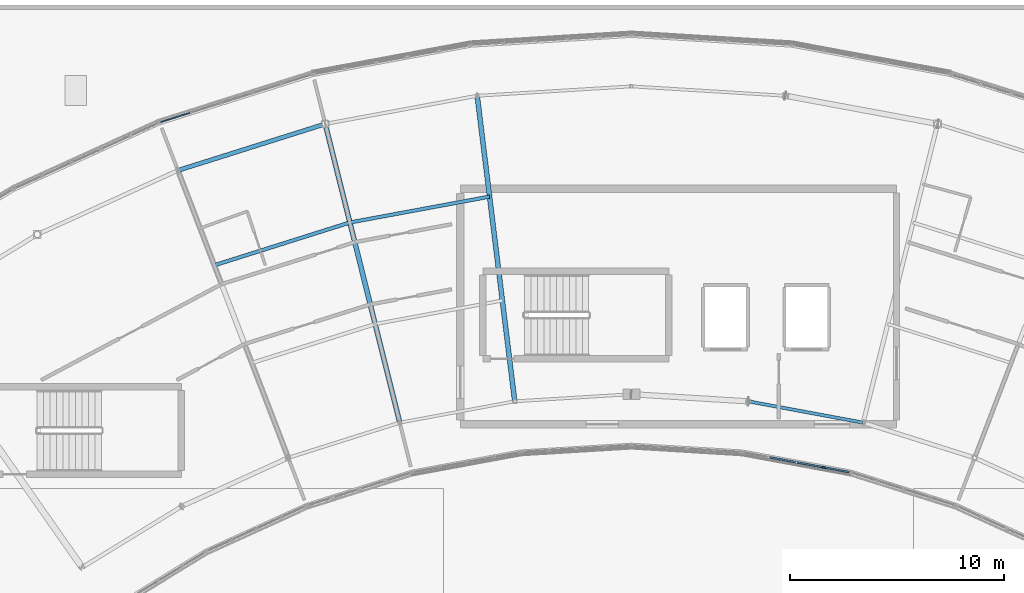
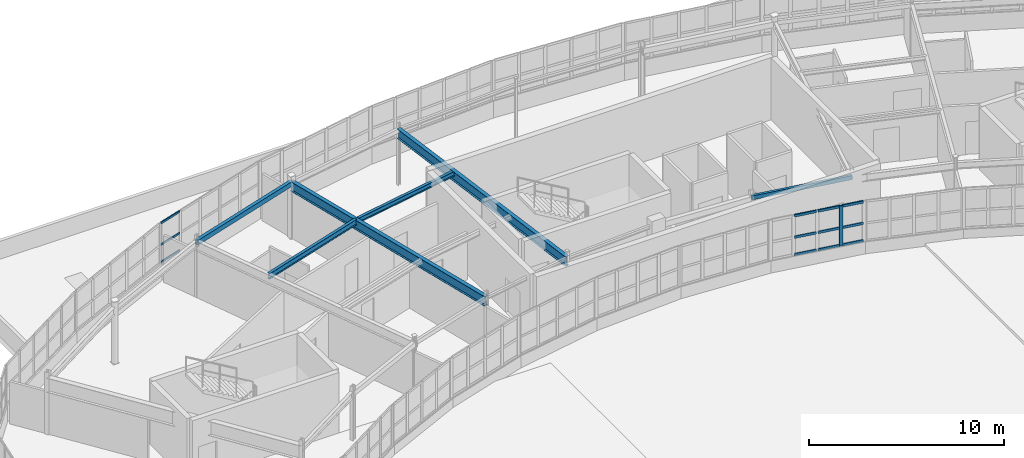
# One storey, part 45 of 128: 13 members, 6 beams, 2 elements without a shape of their own.
"""IFC4 building model written with IfcOpenShell, lengths in metres."""

from ifc_helpers import new_model, si_unit, direction, frame, origin, origin_2d, place, context, subcontext, project, spatial, rectangle, hollow_rectangle, i_section, extrude, material, layer, layer_set, material_profile, profile_set, type_object, element, aggregate, save


model = new_model("IFC4")

# Units and contexts
model_context = context("Model", 3, precision=1e-05, world=origin(), true_north=direction((0.0, 1.0)))
body_context = subcontext(model_context, "Body", "Model", "MODEL_VIEW")
ifc_project = project(units=[si_unit("LENGTHUNIT", "METRE"), si_unit("AREAUNIT", "SQUARE_METRE"), si_unit("VOLUMEUNIT", "CUBIC_METRE"), si_unit("PLANEANGLEUNIT", "RADIAN"), si_unit("MASSUNIT", "GRAM", prefix="KILO")], contexts=[model_context])

# Site, building, storey
site_placement = place(None, origin())
site = spatial("IfcSite", under=ifc_project, at=site_placement, CompositionType="ELEMENT")
building_placement = place(site_placement, origin())
building = spatial("IfcBuilding", under=site, at=building_placement, Name="Tarnwether General Hospital", CompositionType="ELEMENT")
storey_placement = place(building_placement, frame((0.0, 0.0, 14.39990234375)))
storey = spatial("IfcBuildingStorey", under=building, at=storey_placement, Name="L03", CompositionType="ELEMENT", Elevation=14.39990234375)

# Beams
ifc_material_1 = material(Name="Steel Grade 350 (350 MPa)", Category="steel")
ifc_material_profile_1 = material_profile(ifc_material_1, i_section(OverallWidth=0.22802734375, OverallDepth=0.60693359375, WebThickness=0.01123046875, FlangeThickness=0.017333984375, at=origin_2d()), Name="610UB113")
ifc_profile_set_1 = profile_set([ifc_material_profile_1], Name="Steel Grade 350 (350 MPa)")
beam_type_1 = type_object("IfcBeamType", Name="BM-G04", PredefinedType="BEAM", material=ifc_profile_set_1)
beam_1_placement = place(storey_placement, frame((77.677978515625, 120.44189453125, 3.256591796875), z_axis=(0.241941215118, -0.970290909175, 0.0), x_axis=(0.970290909175, 0.241941215118, 0.0)))
element("IfcBeam", 1, at=beam_1_placement, inside=storey, type_object=beam_type_1, Name="Curved Ward NW Radial Girder BMG-L03-7768_12044-8116_10647-1919", PredefinedType="BEAM", context=body_context, shape_type="SweptSolid", body=[
    extrude(i_section(OverallWidth=0.22802734375, OverallDepth=0.60693359375, WebThickness=0.01123046875, FlangeThickness=0.017333984375, at=origin_2d()), origin(), (0.0, 0.0, 1.0), 14.400634765625),
])
ifc_material_2 = material(Name="Steel Grade 350 (350 MPa)", Category="steel")
ifc_material_profile_2 = material_profile(ifc_material_2, i_section(OverallWidth=0.22802734375, OverallDepth=0.60205078125, WebThickness=0.010498046875, FlangeThickness=0.014892578125, at=origin_2d()), Name="610UB101")
ifc_profile_set_2 = profile_set([ifc_material_profile_2], Name="Steel Grade 350 (350 MPa)")
beam_type_2 = type_object("IfcBeamType", Name="BM-G05", PredefinedType="BEAM", material=ifc_profile_set_2)
beam_2_placement = place(storey_placement, frame((84.784912109375, 121.759033203125, 3.259033203125), z_axis=(0.121881045946, -0.99254471468, 0.0), x_axis=(0.99254471468, 0.121881045946, 0.0)))
element("IfcBeam", 2, at=beam_2_placement, inside=storey, type_object=beam_type_2, Name="Curved Ward NW Radial Girder BMG-L03-8478_12176-8654_10747-1920", PredefinedType="BEAM", context=body_context, shape_type="SweptSolid", body=[
    extrude(i_section(OverallWidth=0.22802734375, OverallDepth=0.60205078125, WebThickness=0.010498046875, FlangeThickness=0.014892578125, at=origin_2d()), origin(), (0.0, 0.0, 1.0), 14.400390625),
])
ifc_material_3 = material(Name="Steel Grade 350 (350 MPa)", Category="steel")
ifc_material_profile_3 = material_profile(ifc_material_3, i_section(OverallWidth=0.1708984375, OverallDepth=0.35595703125, WebThickness=0.00732421875, FlangeThickness=0.011474609375, at=origin_2d()), Name="360UB50.7")
ifc_profile_set_3 = profile_set([ifc_material_profile_3], Name="Steel Grade 350 (350 MPa)")
beam_type_3 = type_object("IfcBeamType", Name="BM-J04", PredefinedType="JOIST", material=ifc_profile_set_3)
beam_3_placement = place(storey_placement, frame((72.488037109375, 113.8310546875, 3.382080078125), z_axis=(0.953671429399, 0.300850136693, 0.0), x_axis=(-0.300850136693, 0.953671429399, 0.0)))
element("IfcBeam", 3, at=beam_3_placement, inside=storey, type_object=beam_type_3, Name="Curved Ward NW Chord Joist BMG-L03-7249_11383-7883_11583-1929", PredefinedType="JOIST", context=body_context, shape_type="SweptSolid", body=[
    extrude(i_section(OverallWidth=0.1708984375, OverallDepth=0.35595703125, WebThickness=0.00732421875, FlangeThickness=0.011474609375, at=origin_2d()), origin(), (0.0, 0.0, 1.0), 6.64794921875),
])
ifc_material_4 = material(Name="Steel Grade 350 (350 MPa)", Category="steel")
ifc_material_profile_4 = material_profile(ifc_material_4, i_section(OverallWidth=0.166015625, OverallDepth=0.306884765625, WebThickness=0.006591796875, FlangeThickness=0.01171875, at=origin_2d()), Name="310UB46.2")
ifc_profile_set_4 = profile_set([ifc_material_profile_4], Name="Steel Grade 350 (350 MPa)")
beam_type_4 = type_object("IfcBeamType", Name="BM-J05", PredefinedType="JOIST", material=ifc_profile_set_4)
beam_4_placement = place(storey_placement, frame((78.827880859375, 115.8310546875, 3.406494140625), z_axis=(0.983267388773, 0.18216817004, 0.0), x_axis=(-0.18216817004, 0.983267388773, 0.0)))
element("IfcBeam", 4, at=beam_4_placement, inside=storey, type_object=beam_type_4, Name="Curved Ward NW Chord Joist BMG-L03-7883_11583-8536_11704-1933", PredefinedType="JOIST", context=body_context, shape_type="SweptSolid", body=[
    extrude(i_section(OverallWidth=0.166015625, OverallDepth=0.306884765625, WebThickness=0.006591796875, FlangeThickness=0.01171875, at=origin_2d()), origin(), (0.0, 0.0, 1.0), 6.6474609375),
])
ifc_material_5 = material(Name="Steel Grade C350L0 (350 MPa)", Category="steel")
ifc_material_profile_5 = material_profile(ifc_material_5, hollow_rectangle(XDim=0.199951171875, YDim=0.300048828125, WallThickness=0.012451171875, at=origin_2d()), Name="RHS300x200x12.5")
ifc_profile_set_5 = profile_set([ifc_material_profile_5], Name="Steel Grade C350L0 (350 MPa)")
beam_type_5 = type_object("IfcBeamType", Name="BM-SP3", PredefinedType="SPANDREL", material=ifc_profile_set_5)
beam_5_placement = place(storey_placement, frame((70.784912109375, 118.26806640625, 3.41015625), z_axis=(0.953698988948, 0.300762761125, 0.0), x_axis=(-0.300762761125, 0.953698988948, 0.0)))
element("IfcBeam", 5, at=beam_5_placement, inside=storey, type_object=beam_type_5, Name="Curved Ward NW Outer Spandrel BMG-L03-7078_11827-7768_12044-1927", PredefinedType="SPANDREL", context=body_context, shape_type="SweptSolid", body=[
    extrude(hollow_rectangle(XDim=0.199951171875, YDim=0.300048828125, WallThickness=0.012451171875, at=origin_2d()), origin(), (0.0, 0.0, 1.0), 7.227783203125),
])
ifc_material_6 = material(Name="Steel Grade C350L0 (350 MPa)", Category="steel")
ifc_material_profile_6 = material_profile(ifc_material_6, hollow_rectangle(XDim=0.14990234375, YDim=0.25, WallThickness=0.008056640625, at=origin_2d()), Name="RHS250x150x8")
ifc_profile_set_6 = profile_set([ifc_material_profile_6], Name="Steel Grade C350L0 (350 MPa)")
beam_type_6 = type_object("IfcBeamType", Name="BM-SP8", PredefinedType="SPANDREL", material=ifc_profile_set_6)
beam_6_placement = place(storey_placement, frame((97.4599609375, 107.466064453125, 3.43505859375), z_axis=(0.983244096291, -0.18229384825, 0.0), x_axis=(0.18229384825, 0.983244096291, 0.0)))
element("IfcBeam", 6, at=beam_6_placement, inside=storey, type_object=beam_type_6, Name="Curved Ward NW Inner Spandrel BMG-L03-9746_10747-10284_10647-1940", PredefinedType="SPANDREL", context=body_context, shape_type="SweptSolid", body=[
    extrude(hollow_rectangle(XDim=0.14990234375, YDim=0.25, WallThickness=0.008056640625, at=origin_2d()), origin(), (0.0, 0.0, 1.0), 5.469482421875),
])

# Curtain wall, member
ifc_material_7 = material(Name="Anodised aluminium", Category="aluminium")
ifc_layer_1 = layer(ifc_material_7, 0.159912109375)
ifc_layer_set_1 = layer_set([ifc_layer_1], Name="Anodised aluminium")
curtain_wall_type_1 = type_object("IfcCurtainWallType", Name="CW-03", PredefinedType="NOTDEFINED", material=ifc_layer_set_1)
curtain_wall_1_placement = place(storey_placement, origin())
curtain_wall_1 = element("IfcCurtainWall", 7, at=curtain_wall_1_placement, inside=storey, type_object=curtain_wall_type_1, Name="Curtain Wall CWG-L03-1023_1041-0012", PredefinedType="NOTDEFINED")
ifc_material_8 = material(Name="Anodised aluminium", Category="aluminium")
ifc_material_profile_7 = material_profile(ifc_material_8, rectangle(XDim=0.080078125, YDim=0.199951171875, at=origin_2d()), Name="ALU-MUL-80x200")
ifc_profile_set_7 = profile_set([ifc_material_profile_7], Name="Anodised aluminium")
member_type_1 = type_object("IfcMemberType", Name="CW-ML4", PredefinedType="MULLION", material=ifc_profile_set_7)
member_1_placement = place(storey_placement, frame((100.984619140625, 104.376708984375, 1.050048828125), z_axis=(0.0, 0.0, 1.0), x_axis=(-0.182165351666, -0.983267910924, 0.0)))
member_1 = element("IfcMember", 8, at=member_1_placement, type_object=member_type_1, Name="CW-03 mullion 2", PredefinedType="MULLION", context=body_context, shape_type="SweptSolid", body=[
    extrude(rectangle(XDim=0.080078125, YDim=0.199951171875, at=origin_2d()), origin(), (0.0, 0.0, 1.0), 2.510009765625),
])

# Curtain wall, members
ifc_material_9 = material(Name="Anodised aluminium", Category="aluminium")
ifc_layer_2 = layer(ifc_material_9, 0.159912109375)
ifc_layer_set_2 = layer_set([ifc_layer_2], Name="Anodised aluminium")
curtain_wall_type_2 = type_object("IfcCurtainWallType", Name="CW-01", PredefinedType="NOTDEFINED", material=ifc_layer_set_2)
curtain_wall_2_placement = place(storey_placement, origin())
curtain_wall_2 = element("IfcCurtainWall", 9, at=curtain_wall_2_placement, inside=storey, type_object=curtain_wall_type_2, Name="Curtain Wall CWG-L03-699_1205-0029", PredefinedType="NOTDEFINED")
ifc_material_10 = material(Name="Anodised aluminium", Category="aluminium")
ifc_material_profile_8 = material_profile(ifc_material_10, rectangle(XDim=0.06005859375, YDim=0.1201171875, at=origin_2d()), Name="ALU-TRN-60x120")
ifc_profile_set_8 = profile_set([ifc_material_profile_8], Name="Anodised aluminium")
member_type_2 = type_object("IfcMemberType", Name="CW-TR1", PredefinedType="USERDEFINED", material=ifc_profile_set_8)
member_2_placement = place(storey_placement, frame((69.982177734375, 120.527099609375, 1.080078125), z_axis=(0.95376772244, 0.300544724845, 0.0), x_axis=(-0.300544724845, 0.95376772244, 0.0)))
member_2 = element("IfcMember", 10, at=member_2_placement, type_object=member_type_2, Name="CW-01 transom 1.1", ObjectType="TRANSOM", PredefinedType="USERDEFINED", context=body_context, shape_type="SweptSolid", body=[
    extrude(rectangle(XDim=0.06005859375, YDim=0.1201171875, at=origin_2d()), origin(), (0.0, 0.0, 1.0), 1.414306640625),
])
member_3_placement = place(storey_placement, frame((69.982177734375, 120.527099609375, 2.1796875), z_axis=(0.95376772244, 0.300544724845, 0.0), x_axis=(-0.300544724845, 0.95376772244, 0.0)))
member_3 = element("IfcMember", 11, at=member_3_placement, type_object=member_type_2, Name="CW-01 transom 1.2", ObjectType="TRANSOM", PredefinedType="USERDEFINED", context=body_context, shape_type="SweptSolid", body=[
    extrude(rectangle(XDim=0.06005859375, YDim=0.1201171875, at=origin_2d()), origin(), (0.0, 0.0, 1.0), 1.414306640625),
])
member_4_placement = place(storey_placement, frame((69.982177734375, 120.527099609375, 3.530029296875), z_axis=(0.95376772244, 0.300544724845, 0.0), x_axis=(-0.300544724845, 0.95376772244, 0.0)))
member_4 = element("IfcMember", 12, at=member_4_placement, type_object=member_type_2, Name="CW-01 transom 1.3", ObjectType="TRANSOM", PredefinedType="USERDEFINED", context=body_context, shape_type="SweptSolid", body=[
    extrude(rectangle(XDim=0.06005859375, YDim=0.1201171875, at=origin_2d()), origin(), (0.0, 0.0, 1.0), 1.414306640625),
])
aggregate(curtain_wall_2, [member_2, member_3, member_4])

# Member
ifc_material_11 = material(Name="Anodised aluminium", Category="aluminium")
ifc_material_profile_9 = material_profile(ifc_material_11, rectangle(XDim=0.080078125, YDim=0.14990234375, at=origin_2d()), Name="ALU-TRN-80x150")
ifc_profile_set_9 = profile_set([ifc_material_profile_9], Name="Anodised aluminium")
member_type_3 = type_object("IfcMemberType", Name="CW-TR4", PredefinedType="USERDEFINED", material=ifc_profile_set_9)
member_5_placement = place(storey_placement, frame((102.17822265625, 104.155517578125, 1.090087890625), z_axis=(-0.983265451868, 0.182178624331, 0.0), x_axis=(-0.182178624331, -0.983265451868, 0.0)))
member_5 = element("IfcMember", 13, at=member_5_placement, type_object=member_type_3, Name="CW-03 transom 1.1", ObjectType="TRANSOM", PredefinedType="USERDEFINED", context=body_context, shape_type="SweptSolid", body=[
    extrude(rectangle(XDim=0.080078125, YDim=0.14990234375, at=origin_2d()), origin(), (0.0, 0.0, 1.0), 1.173828125),
])

member_6_placement = place(storey_placement, frame((102.17822265625, 104.155517578125, 2.1796875), z_axis=(-0.983265451868, 0.182178624331, 0.0), x_axis=(-0.182178624331, -0.983265451868, 0.0)))
member_6 = element("IfcMember", 14, at=member_6_placement, type_object=member_type_3, Name="CW-03 transom 1.2", ObjectType="TRANSOM", PredefinedType="USERDEFINED", context=body_context, shape_type="SweptSolid", body=[
    extrude(rectangle(XDim=0.080078125, YDim=0.14990234375, at=origin_2d()), origin(), (0.0, 0.0, 1.0), 1.173828125),
])

member_7_placement = place(storey_placement, frame((102.17822265625, 104.155517578125, 3.52001953125), z_axis=(-0.983265451868, 0.182178624331, 0.0), x_axis=(-0.182178624331, -0.983265451868, 0.0)))
member_7 = element("IfcMember", 15, at=member_7_placement, type_object=member_type_3, Name="CW-03 transom 1.3", ObjectType="TRANSOM", PredefinedType="USERDEFINED", context=body_context, shape_type="SweptSolid", body=[
    extrude(rectangle(XDim=0.080078125, YDim=0.14990234375, at=origin_2d()), origin(), (0.0, 0.0, 1.0), 1.173828125),
])

member_8_placement = place(storey_placement, frame((100.945068359375, 104.384033203125, 1.090087890625), z_axis=(-0.983266000374, 0.182175663873, 0.0), x_axis=(-0.182175663873, -0.983266000374, 0.0)))
member_8 = element("IfcMember", 16, at=member_8_placement, type_object=member_type_3, Name="CW-03 transom 2.1", ObjectType="TRANSOM", PredefinedType="USERDEFINED", context=body_context, shape_type="SweptSolid", body=[
    extrude(rectangle(XDim=0.080078125, YDim=0.14990234375, at=origin_2d()), origin(), (0.0, 0.0, 1.0), 1.214111328125),
])

member_9_placement = place(storey_placement, frame((100.945068359375, 104.384033203125, 2.1796875), z_axis=(-0.983266000374, 0.182175663873, 0.0), x_axis=(-0.182175663873, -0.983266000374, 0.0)))
member_9 = element("IfcMember", 17, at=member_9_placement, type_object=member_type_3, Name="CW-03 transom 2.2", ObjectType="TRANSOM", PredefinedType="USERDEFINED", context=body_context, shape_type="SweptSolid", body=[
    extrude(rectangle(XDim=0.080078125, YDim=0.14990234375, at=origin_2d()), origin(), (0.0, 0.0, 1.0), 1.214111328125),
])

member_10_placement = place(storey_placement, frame((100.945068359375, 104.384033203125, 3.52001953125), z_axis=(-0.983266000374, 0.182175663873, 0.0), x_axis=(-0.182175663873, -0.983266000374, 0.0)))
member_10 = element("IfcMember", 18, at=member_10_placement, type_object=member_type_3, Name="CW-03 transom 2.3", ObjectType="TRANSOM", PredefinedType="USERDEFINED", context=body_context, shape_type="SweptSolid", body=[
    extrude(rectangle(XDim=0.080078125, YDim=0.14990234375, at=origin_2d()), origin(), (0.0, 0.0, 1.0), 1.214111328125),
])

member_11_placement = place(storey_placement, frame((99.672607421875, 104.619873046875, 1.090087890625), z_axis=(-0.983266000374, 0.182175663873, 0.0), x_axis=(-0.182175663873, -0.983266000374, 0.0)))
member_11 = element("IfcMember", 19, at=member_11_placement, type_object=member_type_3, Name="CW-03 transom 3.1", ObjectType="TRANSOM", PredefinedType="USERDEFINED", context=body_context, shape_type="SweptSolid", body=[
    extrude(rectangle(XDim=0.080078125, YDim=0.14990234375, at=origin_2d()), origin(), (0.0, 0.0, 1.0), 1.214111328125),
])

member_12_placement = place(storey_placement, frame((99.672607421875, 104.619873046875, 2.1796875), z_axis=(-0.983266000374, 0.182175663873, 0.0), x_axis=(-0.182175663873, -0.983266000374, 0.0)))
member_12 = element("IfcMember", 20, at=member_12_placement, type_object=member_type_3, Name="CW-03 transom 3.2", ObjectType="TRANSOM", PredefinedType="USERDEFINED", context=body_context, shape_type="SweptSolid", body=[
    extrude(rectangle(XDim=0.080078125, YDim=0.14990234375, at=origin_2d()), origin(), (0.0, 0.0, 1.0), 1.214111328125),
])

member_13_placement = place(storey_placement, frame((99.672607421875, 104.619873046875, 3.52001953125), z_axis=(-0.983266000374, 0.182175663873, 0.0), x_axis=(-0.182175663873, -0.983266000374, 0.0)))
member_13 = element("IfcMember", 21, at=member_13_placement, type_object=member_type_3, Name="CW-03 transom 3.3", ObjectType="TRANSOM", PredefinedType="USERDEFINED", context=body_context, shape_type="SweptSolid", body=[
    extrude(rectangle(XDim=0.080078125, YDim=0.14990234375, at=origin_2d()), origin(), (0.0, 0.0, 1.0), 1.214111328125),
])

aggregate(curtain_wall_1, [member_1, member_5, member_6, member_7, member_8, member_9, member_10, member_11, member_12, member_13])

save(model, "model.ifc")
